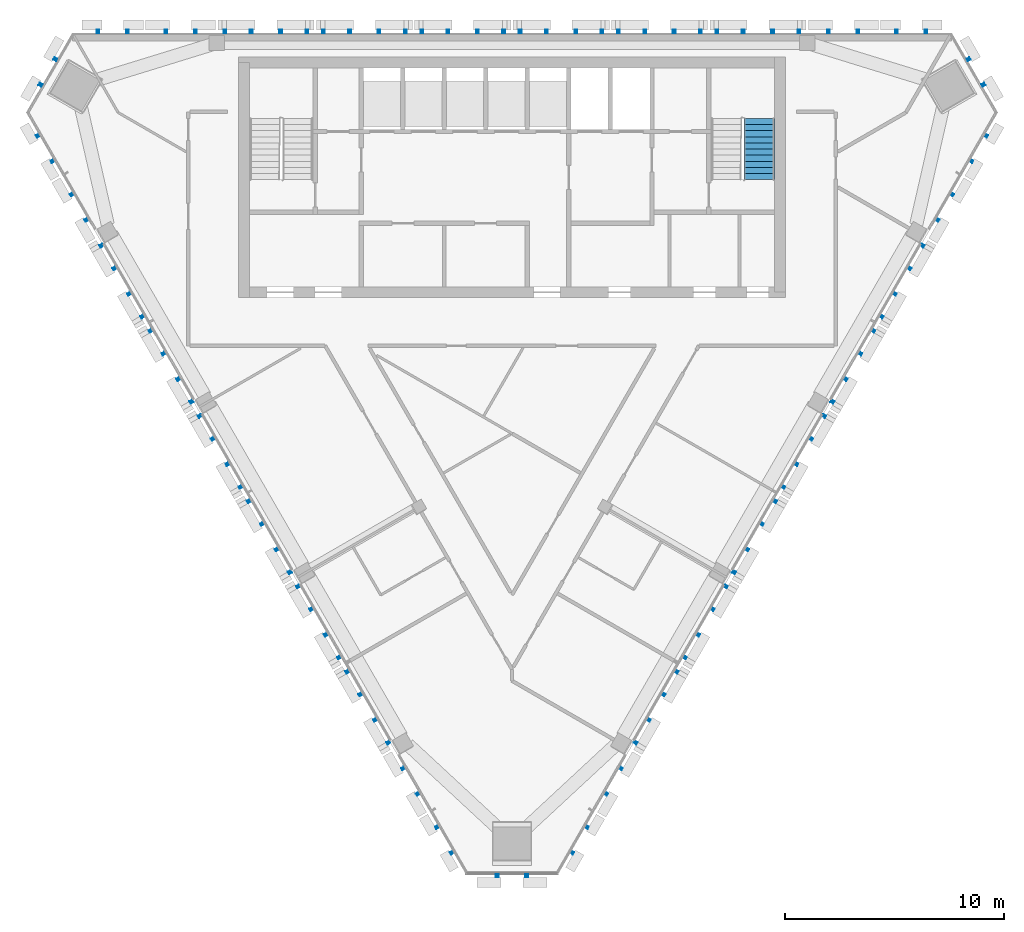
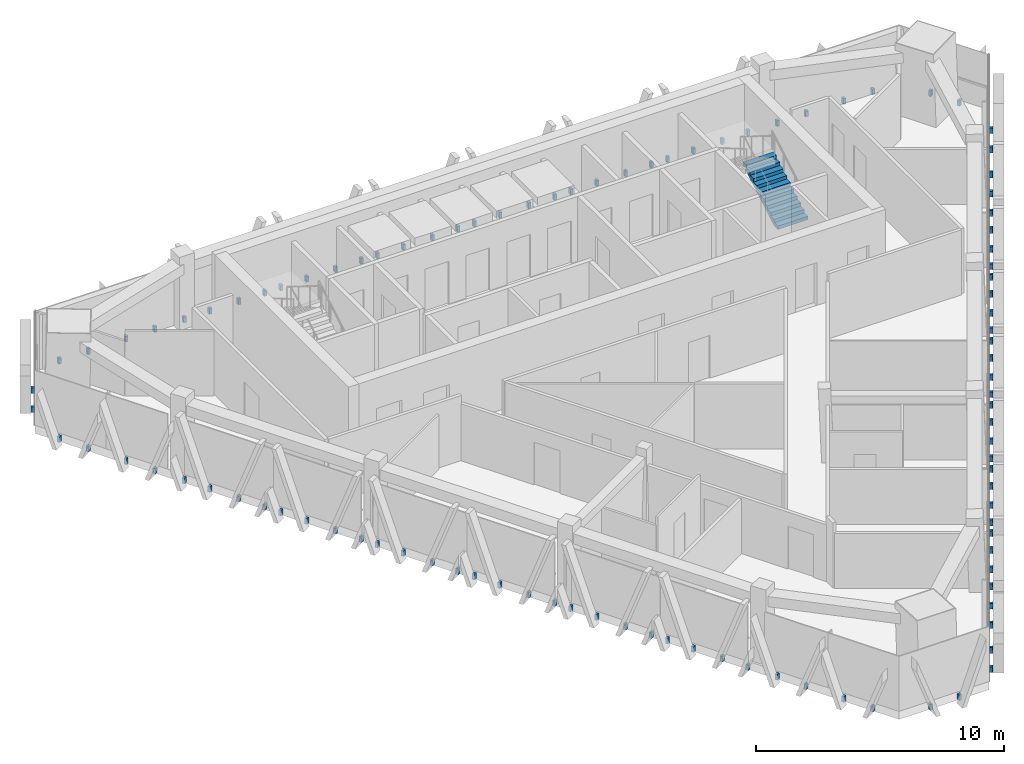
# One storey, part 10 of 12: 6 discrete accessories, 1 stair flight, 1 element without a shape of its own.
"""IFC4 building model written with IfcOpenShell, lengths in metres."""

from ifc_helpers import new_model, si_unit, direction, frame, origin, place, context, subcontext, project, spatial, polyline, outline, extrude, source, transform, mapped, material, type_object, element, aggregate, save


model = new_model("IFC4")

# Units and contexts
model_context = context("Model", 3, precision=1e-05, world=origin(), true_north=direction((0.0, 1.0)))
body_context = subcontext(model_context, "Body", "Model", "MODEL_VIEW")
ifc_project = project(units=[si_unit("LENGTHUNIT", "METRE"), si_unit("AREAUNIT", "SQUARE_METRE"), si_unit("VOLUMEUNIT", "CUBIC_METRE"), si_unit("PLANEANGLEUNIT", "RADIAN"), si_unit("MASSUNIT", "GRAM", prefix="KILO")], contexts=[model_context])

# Site, building, storey
site_placement = place(None, origin())
site = spatial("IfcSite", under=ifc_project, at=site_placement, CompositionType="ELEMENT")
building_placement = place(site_placement, origin())
building = spatial("IfcBuilding", under=site, at=building_placement, Name="Altiplano Prism Tower", CompositionType="ELEMENT")
storey_placement = place(building_placement, frame((0.0, 0.0, 298.60009765625)))
storey = spatial("IfcBuildingStorey", under=building, at=storey_placement, Name="L77", CompositionType="ELEMENT", Elevation=298.60009765625)

# Stair, stair flight
ifc_material_1 = material(Name="Concrete C40/50", Category="concrete")
stair_type = type_object("IfcStairType", Name="Exit stair 1400", PredefinedType="HALF_TURN_STAIR", material=ifc_material_1)
stair_placement = place(storey_placement, origin())
stair = element("IfcStair", 1, at=stair_placement, inside=storey, type_object=stair_type, Name="L77 Exit Stair 2", PredefinedType="HALF_TURN_STAIR")
stair_flight_type = type_object("IfcStairFlightType", Name="Stair flight concrete 150", PredefinedType="STRAIGHT", material=ifc_material_1)
stair_flight_placement = place(storey_placement, frame((96.300048828125, 98.300048828125, 0.0), z_axis=(0.0, 0.0, 1.0), x_axis=(0.0, 1.0, 0.0)))
stair_flight = element("IfcStairFlight", 2, at=stair_flight_placement, type_object=stair_flight_type, Name="ST2 flight 1", NumberOfRisers=11, NumberOfTreads=10, PredefinedType="STRAIGHT", RiserHeight=0.163636364, TreadLength=0.28, context=body_context, shape_type="SweptSolid", body=[
    extrude(outline(polyline([(0.0, 0.0), (0.0, 0.16357421875), (0.280029296875, 0.16357421875), (0.280029296875, 0.327392578125), (0.56005859375, 0.327392578125), (0.56005859375, 0.490966796875), (0.840087890625, 0.490966796875), (0.840087890625, 0.654541015625), (1.1201171875, 0.654541015625), (1.1201171875, 0.818115234375), (1.39990234375, 0.818115234375), (1.39990234375, 0.98193359375), (1.679931640625, 0.98193359375), (1.679931640625, 1.1455078125), (1.9599609375, 1.1455078125), (1.9599609375, 1.30908203125), (2.239990234375, 1.30908203125), (2.239990234375, 1.47265625), (2.52001953125, 1.47265625), (2.52001953125, 1.636474609375), (2.800048828125, 1.636474609375), (2.800048828125, 1.800048828125), (2.800048828125, 1.462646484375), (0.297119140625, 0.0), (0.0, 0.0)])), frame((0.0, 0.699951171875, 0.0), z_axis=(0.0, -1.0, 0.0), x_axis=(1.0, 0.0, 0.0)), (0.0, 0.0, 1.0), 1.39990234375),
])
aggregate(stair, [stair_flight])

# Discrete accessories
ifc_material_2 = material(Name="Stainless steel", Category="steel")
discrete_accessory_type = type_object("IfcDiscreteAccessoryType", Name="Stone fin fixing prongs", PredefinedType="USERDEFINED", material=ifc_material_2)
shared_shape_1 = source(origin(), body_context, "Body", "SweptSolid", [
    extrude(outline(polyline([(-0.73291015625, 0.06005859375), (-0.61279296875, 0.06005859375), (-0.61279296875, 0.340087890625), (-0.73291015625, 0.340087890625), (-0.73291015625, 0.06005859375)])), frame((0.0, 0.0, 0.0), z_axis=(0.0, -1.0, 0.0), x_axis=(1.0, 0.0, 0.0)), (0.0, 0.0, 1.0), 0.14990234375),
    extrude(outline(polyline([(0.61279296875, 0.06005859375), (0.73291015625, 0.06005859375), (0.73291015625, 0.340087890625), (0.61279296875, 0.340087890625), (0.61279296875, 0.06005859375)])), frame((0.0, 0.0, 0.0), z_axis=(0.0, -1.0, 0.0), x_axis=(1.0, 0.0, 0.0)), (0.0, 0.0, 1.0), 0.14990234375),
])
shared_shape_2 = source(origin(), body_context, "Body", "SweptSolid", [
    extrude(outline(polyline([(-0.73291015625, 0.06005859375), (-0.61279296875, 0.06005859375), (-0.61279296875, 0.340087890625), (-0.73291015625, 0.340087890625), (-0.73291015625, 0.06005859375)])), frame((0.0, 0.0, 0.0), z_axis=(0.0, -1.0, 0.0), x_axis=(1.0, 0.0, 0.0)), (0.0, 0.0, 1.0), 0.14990234375),
    extrude(outline(polyline([(0.61279296875, 0.06005859375), (0.73291015625, 0.06005859375), (0.73291015625, 0.340087890625), (0.61279296875, 0.340087890625), (0.61279296875, 0.06005859375)])), frame((0.0, 0.0, 0.0), z_axis=(0.0, -1.0, 0.0), x_axis=(1.0, 0.0, 0.0)), (0.0, 0.0, 1.0), 0.14990234375),
])
shared_shape_3 = source(origin(), body_context, "Body", "SweptSolid", [
    extrude(outline(polyline([(-1.932861328125, 0.06005859375), (-1.812744140625, 0.06005859375), (-1.812744140625, 0.340087890625), (-1.932861328125, 0.340087890625), (-1.932861328125, 0.06005859375)])), frame((0.0, 0.0, 0.0), z_axis=(0.0, -1.0, 0.0), x_axis=(1.0, 0.0, 0.0)), (0.0, 0.0, 1.0), 0.14990234375),
    extrude(outline(polyline([(-0.73291015625, 0.06005859375), (-0.61279296875, 0.06005859375), (-0.61279296875, 0.340087890625), (-0.73291015625, 0.340087890625), (-0.73291015625, 0.06005859375)])), frame((0.0, 0.0, 0.0), z_axis=(0.0, -1.0, 0.0), x_axis=(1.0, 0.0, 0.0)), (0.0, 0.0, 1.0), 0.14990234375),
    extrude(outline(polyline([(0.61279296875, 0.06005859375), (0.73291015625, 0.06005859375), (0.73291015625, 0.340087890625), (0.61279296875, 0.340087890625), (0.61279296875, 0.06005859375)])), frame((0.0, 0.0, 0.0), z_axis=(0.0, -1.0, 0.0), x_axis=(1.0, 0.0, 0.0)), (0.0, 0.0, 1.0), 0.14990234375),
    extrude(outline(polyline([(1.812744140625, 0.06005859375), (1.932861328125, 0.06005859375), (1.932861328125, 0.340087890625), (1.812744140625, 0.340087890625), (1.812744140625, 0.06005859375)])), frame((0.0, 0.0, 0.0), z_axis=(0.0, -1.0, 0.0), x_axis=(1.0, 0.0, 0.0)), (0.0, 0.0, 1.0), 0.14990234375),
])
discrete_accessory_1_placement = place(storey_placement, origin())
element("IfcDiscreteAccessory", 3, at=discrete_accessory_1_placement, inside=storey, type_object=discrete_accessory_type, Name="Fin fixings L77 north face", ObjectType="BRACKET", PredefinedType="USERDEFINED", context=body_context, shape_type="MappedRepresentation", body=[
    mapped(shared_shape_1, transform((103.2578125, 105.0, -0.400146484375), x_axis=(-1.0, 0.0, 0.0), y_axis=(0.0, -1.0, 0.0), z_axis=(0.0, 0.0, 1.0))),
    mapped(shared_shape_2, transform((100.152587890625, 105.0, -0.400146484375), x_axis=(-1.0, 0.0, 0.0), y_axis=(0.0, -1.0, 0.0), z_axis=(0.0, 0.0, 1.0))),
    mapped(shared_shape_3, transform((96.25, 105.0, -0.400146484375), x_axis=(-1.0, 0.0, 0.0), y_axis=(0.0, -1.0, 0.0), z_axis=(0.0, 0.0, 1.0))),
    mapped(shared_shape_3, transform((91.75, 105.0, -0.400146484375), x_axis=(-1.0, 0.0, 0.0), y_axis=(0.0, -1.0, 0.0), z_axis=(0.0, 0.0, 1.0))),
    mapped(shared_shape_3, transform((87.25, 105.0, -0.400146484375), x_axis=(-1.0, 0.0, 0.0), y_axis=(0.0, -1.0, 0.0), z_axis=(0.0, 0.0, 1.0))),
    mapped(shared_shape_3, transform((82.75, 105.0, -0.400146484375), x_axis=(-1.0, 0.0, 0.0), y_axis=(0.0, -1.0, 0.0), z_axis=(0.0, 0.0, 1.0))),
    mapped(shared_shape_3, transform((78.25, 105.0, -0.400146484375), x_axis=(-1.0, 0.0, 0.0), y_axis=(0.0, -1.0, 0.0), z_axis=(0.0, 0.0, 1.0))),
    mapped(shared_shape_3, transform((73.75, 105.0, -0.400146484375), x_axis=(-1.0, 0.0, 0.0), y_axis=(0.0, -1.0, 0.0), z_axis=(0.0, 0.0, 1.0))),
    mapped(shared_shape_2, transform((69.847412109375, 105.0, -0.400146484375), x_axis=(-1.0, 0.0, 0.0), y_axis=(0.0, -1.0, 0.0), z_axis=(0.0, 0.0, 1.0))),
    mapped(shared_shape_1, transform((66.7421875, 105.0, -0.400146484375), x_axis=(-1.0, 0.0, 0.0), y_axis=(0.0, -1.0, 0.0), z_axis=(0.0, 0.0, 1.0))),
])
discrete_accessory_2_placement = place(storey_placement, origin())
element("IfcDiscreteAccessory", 4, at=discrete_accessory_2_placement, inside=storey, type_object=discrete_accessory_type, Name="Fin fixings L77 north-west chamfer", ObjectType="BRACKET", PredefinedType="USERDEFINED", context=body_context, shape_type="MappedRepresentation", body=[
    mapped(shared_shape_2, transform((63.84130859375, 103.184326171875, -0.400146484375), x_axis=(-0.500000072093, -0.866025362161, 0.0), y_axis=(0.866025362161, -0.500000072093, 0.0), z_axis=(0.0, 0.0, 1.0))),
])
discrete_accessory_3_placement = place(storey_placement, origin())
element("IfcDiscreteAccessory", 5, at=discrete_accessory_3_placement, inside=storey, type_object=discrete_accessory_type, Name="Fin fixings L77 south-west face", ObjectType="BRACKET", PredefinedType="USERDEFINED", context=body_context, shape_type="MappedRepresentation", body=[
    mapped(shared_shape_1, transform((63.71923828125, 99.764404296875, -0.400146484375), x_axis=(0.499999992925, -0.866025407869, 0.0), y_axis=(0.866025407869, 0.499999992925, 0.0), z_axis=(0.0, 0.0, 1.0))),
    mapped(shared_shape_2, transform((65.27197265625, 97.0751953125, -0.400146484375), x_axis=(0.499999992925, -0.866025407869, 0.0), y_axis=(0.866025407869, 0.499999992925, 0.0), z_axis=(0.0, 0.0, 1.0))),
    mapped(shared_shape_3, transform((67.22314453125, 93.6953125, -0.400146484375), x_axis=(0.499999992925, -0.866025407869, 0.0), y_axis=(0.866025407869, 0.499999992925, 0.0), z_axis=(0.0, 0.0, 1.0))),
    mapped(shared_shape_3, transform((69.47314453125, 89.798095703125, -0.400146484375), x_axis=(0.499999992925, -0.866025407869, 0.0), y_axis=(0.866025407869, 0.499999992925, 0.0), z_axis=(0.0, 0.0, 1.0))),
    mapped(shared_shape_3, transform((71.72314453125, 85.901123046875, -0.400146484375), x_axis=(0.499999992925, -0.866025407869, 0.0), y_axis=(0.866025407869, 0.499999992925, 0.0), z_axis=(0.0, 0.0, 1.0))),
    mapped(shared_shape_3, transform((73.97314453125, 82.00390625, -0.400146484375), x_axis=(0.499999992925, -0.866025407869, 0.0), y_axis=(0.866025407869, 0.499999992925, 0.0), z_axis=(0.0, 0.0, 1.0))),
    mapped(shared_shape_3, transform((76.22314453125, 78.10693359375, -0.400146484375), x_axis=(0.499999992925, -0.866025407869, 0.0), y_axis=(0.866025407869, 0.499999992925, 0.0), z_axis=(0.0, 0.0, 1.0))),
    mapped(shared_shape_3, transform((78.47314453125, 74.209716796875, -0.400146484375), x_axis=(0.499999992925, -0.866025407869, 0.0), y_axis=(0.866025407869, 0.499999992925, 0.0), z_axis=(0.0, 0.0, 1.0))),
    mapped(shared_shape_2, transform((80.424560546875, 70.830078125, -0.400146484375), x_axis=(0.499999992925, -0.866025407869, 0.0), y_axis=(0.866025407869, 0.499999992925, 0.0), z_axis=(0.0, 0.0, 1.0))),
    mapped(shared_shape_1, transform((81.97705078125, 68.140869140625, -0.400146484375), x_axis=(0.499999992925, -0.866025407869, 0.0), y_axis=(0.866025407869, 0.499999992925, 0.0), z_axis=(0.0, 0.0, 1.0))),
])
discrete_accessory_4_placement = place(storey_placement, origin())
element("IfcDiscreteAccessory", 6, at=discrete_accessory_4_placement, inside=storey, type_object=discrete_accessory_type, Name="Fin fixings L77 south chamfer", ObjectType="BRACKET", PredefinedType="USERDEFINED", context=body_context, shape_type="MappedRepresentation", body=[
    mapped(shared_shape_2, transform((85.0, 66.536376953125, -0.400146484375), x_axis=(1.0, 0.0, 0.0), y_axis=(0.0, 1.0, 0.0), z_axis=(0.0, 0.0, 1.0))),
])
discrete_accessory_5_placement = place(storey_placement, origin())
element("IfcDiscreteAccessory", 7, at=discrete_accessory_5_placement, inside=storey, type_object=discrete_accessory_type, Name="Fin fixings L77 south-east face", ObjectType="BRACKET", PredefinedType="USERDEFINED", context=body_context, shape_type="MappedRepresentation", body=[
    mapped(shared_shape_1, transform((88.02294921875, 68.140869140625, -0.400146484375), x_axis=(0.499999992925, 0.866025407869, 0.0), y_axis=(-0.866025407869, 0.499999992925, 0.0), z_axis=(0.0, 0.0, 1.0))),
    mapped(shared_shape_2, transform((89.575439453125, 70.830078125, -0.400146484375), x_axis=(0.499999992925, 0.866025407869, 0.0), y_axis=(-0.866025407869, 0.499999992925, 0.0), z_axis=(0.0, 0.0, 1.0))),
    mapped(shared_shape_3, transform((91.52685546875, 74.209716796875, -0.400146484375), x_axis=(0.499999992925, 0.866025407869, 0.0), y_axis=(-0.866025407869, 0.499999992925, 0.0), z_axis=(0.0, 0.0, 1.0))),
    mapped(shared_shape_3, transform((93.77685546875, 78.10693359375, -0.400146484375), x_axis=(0.499999992925, 0.866025407869, 0.0), y_axis=(-0.866025407869, 0.499999992925, 0.0), z_axis=(0.0, 0.0, 1.0))),
    mapped(shared_shape_3, transform((96.02685546875, 82.00390625, -0.400146484375), x_axis=(0.499999992925, 0.866025407869, 0.0), y_axis=(-0.866025407869, 0.499999992925, 0.0), z_axis=(0.0, 0.0, 1.0))),
    mapped(shared_shape_3, transform((98.27685546875, 85.901123046875, -0.400146484375), x_axis=(0.499999992925, 0.866025407869, 0.0), y_axis=(-0.866025407869, 0.499999992925, 0.0), z_axis=(0.0, 0.0, 1.0))),
    mapped(shared_shape_3, transform((100.52685546875, 89.798095703125, -0.400146484375), x_axis=(0.499999992925, 0.866025407869, 0.0), y_axis=(-0.866025407869, 0.499999992925, 0.0), z_axis=(0.0, 0.0, 1.0))),
    mapped(shared_shape_3, transform((102.77685546875, 93.6953125, -0.400146484375), x_axis=(0.499999992925, 0.866025407869, 0.0), y_axis=(-0.866025407869, 0.499999992925, 0.0), z_axis=(0.0, 0.0, 1.0))),
    mapped(shared_shape_2, transform((104.72802734375, 97.0751953125, -0.400146484375), x_axis=(0.499999992925, 0.866025407869, 0.0), y_axis=(-0.866025407869, 0.499999992925, 0.0), z_axis=(0.0, 0.0, 1.0))),
    mapped(shared_shape_1, transform((106.28076171875, 99.764404296875, -0.400146484375), x_axis=(0.499999992925, 0.866025407869, 0.0), y_axis=(-0.866025407869, 0.499999992925, 0.0), z_axis=(0.0, 0.0, 1.0))),
])
discrete_accessory_6_placement = place(storey_placement, origin())
element("IfcDiscreteAccessory", 8, at=discrete_accessory_6_placement, inside=storey, type_object=discrete_accessory_type, Name="Fin fixings L77 north-east chamfer", ObjectType="BRACKET", PredefinedType="USERDEFINED", context=body_context, shape_type="MappedRepresentation", body=[
    mapped(shared_shape_2, transform((106.15869140625, 103.184326171875, -0.400146484375), x_axis=(-0.500000072093, 0.866025362161, 0.0), y_axis=(-0.866025362161, -0.500000072093, 0.0), z_axis=(0.0, 0.0, 1.0))),
])

save(model, "model.ifc")
